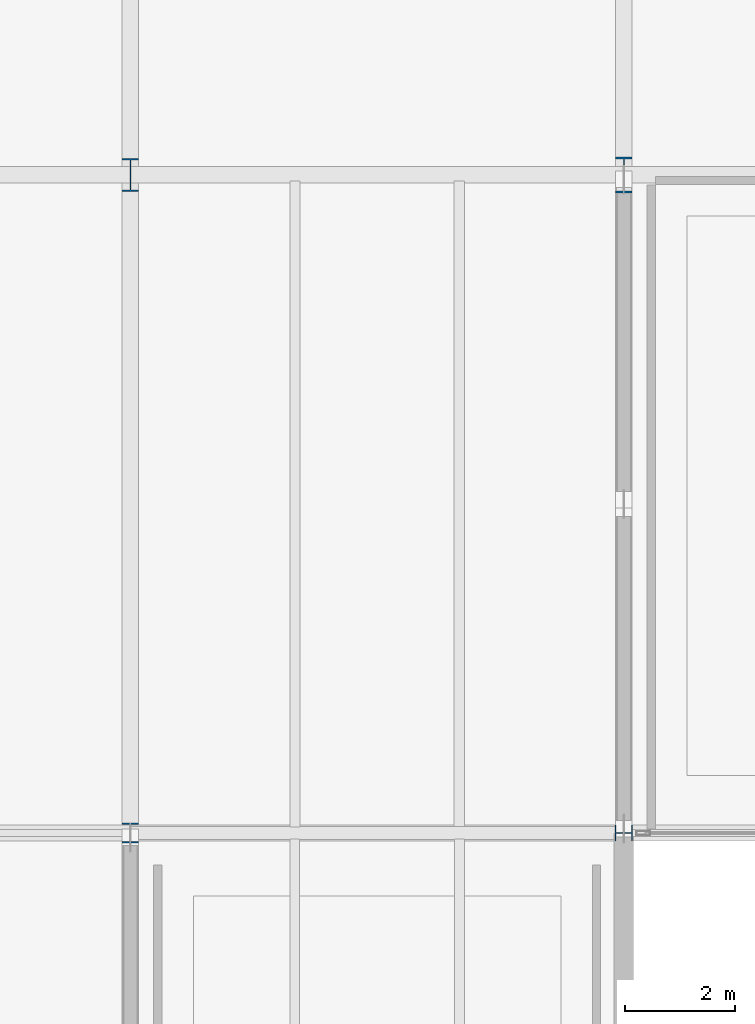
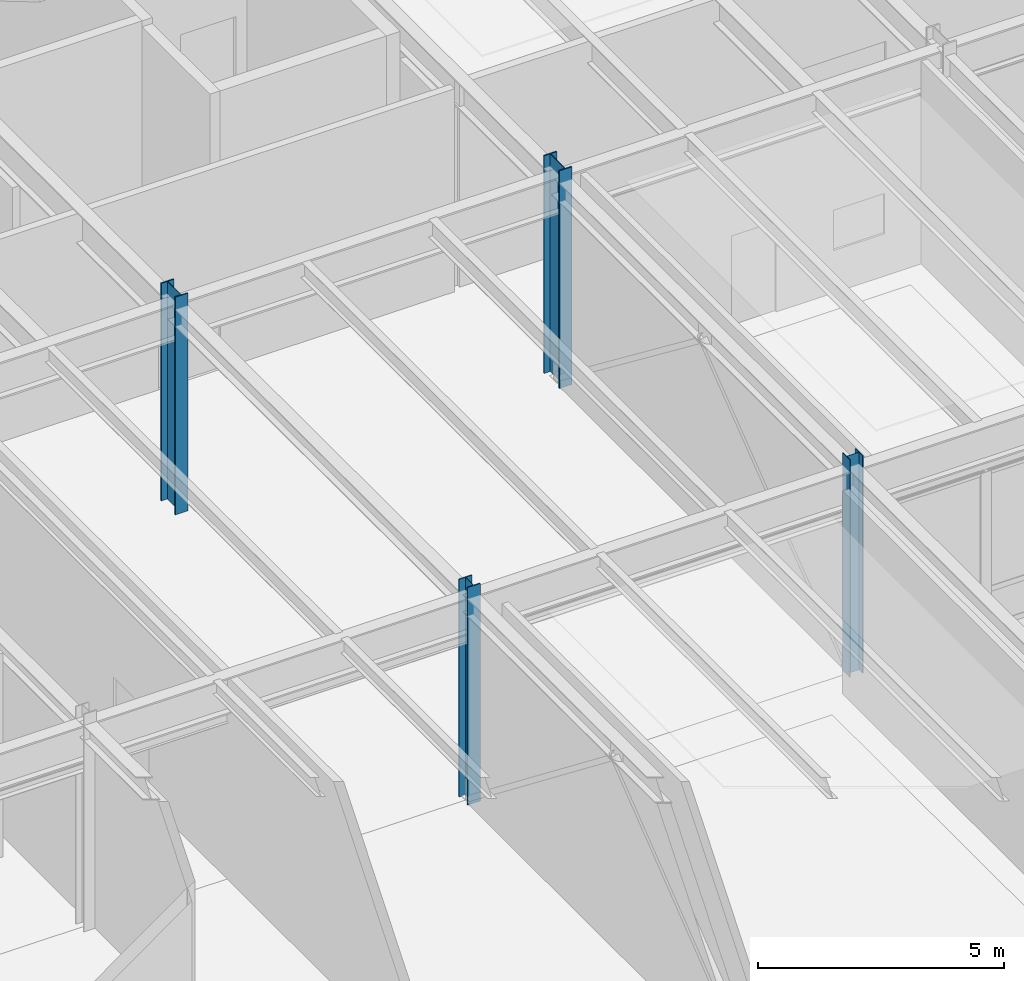
# One storey, part 13 of 143: 4 columns.
"""IFC4 building model written with IfcOpenShell, lengths in metres."""

from ifc_helpers import new_model, si_unit, direction, frame, origin, origin_2d, place, context, subcontext, project, spatial, i_section, extrude, material, material_profile, profile_set, type_object, element, save


model = new_model("IFC4")

# Units and contexts
model_context = context("Model", 3, precision=1e-05, world=origin(), true_north=direction((0.0, 1.0)))
body_context = subcontext(model_context, "Body", "Model", "MODEL_VIEW")
ifc_project = project(units=[si_unit("LENGTHUNIT", "METRE"), si_unit("AREAUNIT", "SQUARE_METRE"), si_unit("VOLUMEUNIT", "CUBIC_METRE"), si_unit("PLANEANGLEUNIT", "RADIAN"), si_unit("MASSUNIT", "GRAM", prefix="KILO")], contexts=[model_context])

# Site, building, storey
site_placement = place(None, origin())
site = spatial("IfcSite", under=ifc_project, at=site_placement, CompositionType="ELEMENT")
building_placement = place(site_placement, origin())
building = spatial("IfcBuilding", under=site, at=building_placement, Name="Montelvaro Courts of Justice", CompositionType="ELEMENT")
storey_placement = place(building_placement, origin())
storey = spatial("IfcBuildingStorey", under=building, at=storey_placement, Name="L00", CompositionType="ELEMENT", Elevation=0.0)

# Columns
ifc_material = material(Name="Steel S355", Category="steel")
ifc_material_profile_1 = material_profile(ifc_material, i_section(OverallWidth=0.300048828125, OverallDepth=0.320068359375, WebThickness=0.011474609375, FlangeThickness=0.0205078125, at=origin_2d()), Name="HEB 320")
ifc_profile_set_1 = profile_set([ifc_material_profile_1], Name="Steel S355")
column_type_1 = type_object("IfcColumnType", Name="Col_HEB320", PredefinedType="COLUMN", material=ifc_profile_set_1)
column_1_placement = place(storey_placement, frame((126.0, 66.0, 0.0), z_axis=(0.0, 0.0, 1.0), x_axis=(0.0, 1.0, 0.0)))
element("IfcColumn", 1, at=column_1_placement, inside=storey, type_object=column_type_1, Name="Column C-04 L00 15/F", PredefinedType="COLUMN", context=body_context, shape_type="SweptSolid", body=[
    extrude(i_section(OverallWidth=0.300048828125, OverallDepth=0.320068359375, WebThickness=0.011474609375, FlangeThickness=0.0205078125, at=origin_2d()), origin(), (0.0, 0.0, 1.0), 5.39990234375),
])
ifc_material_profile_2 = material_profile(ifc_material, i_section(OverallWidth=0.300048828125, OverallDepth=0.360107421875, WebThickness=0.012451171875, FlangeThickness=0.0224609375, at=origin_2d()), Name="HEB 360")
ifc_profile_set_2 = profile_set([ifc_material_profile_2], Name="Steel S355")
column_type_2 = type_object("IfcColumnType", Name="Col_HEB360", PredefinedType="COLUMN", material=ifc_profile_set_2)
column_2_placement = place(storey_placement, frame((117.0, 66.0, 0.0), z_axis=(0.0, 0.0, 1.0), x_axis=(1.0, 0.0, 0.0)))
element("IfcColumn", 2, at=column_2_placement, inside=storey, type_object=column_type_2, Name="Column C-06 L00 14/F", PredefinedType="COLUMN", context=body_context, shape_type="SweptSolid", body=[
    extrude(i_section(OverallWidth=0.300048828125, OverallDepth=0.360107421875, WebThickness=0.012451171875, FlangeThickness=0.0224609375, at=origin_2d()), origin(), (0.0, 0.0, 1.0), 5.39990234375),
])
ifc_material_profile_3 = material_profile(ifc_material, i_section(OverallWidth=0.300048828125, OverallDepth=0.60009765625, WebThickness=0.015380859375, FlangeThickness=0.030029296875, at=origin_2d()), Name="HEB 600")
ifc_profile_set_3 = profile_set([ifc_material_profile_3], Name="Steel S355")
column_type_3 = type_object("IfcColumnType", Name="Col_HEB600", PredefinedType="COLUMN", material=ifc_profile_set_3)
column_3_placement = place(storey_placement, frame((117.0, 78.0, 0.0), z_axis=(0.0, 0.0, 1.0), x_axis=(1.0, 0.0, 0.0)))
element("IfcColumn", 3, at=column_3_placement, inside=storey, type_object=column_type_3, Name="Column C-11 L00 14/G", PredefinedType="COLUMN", context=body_context, shape_type="SweptSolid", body=[
    extrude(i_section(OverallWidth=0.300048828125, OverallDepth=0.60009765625, WebThickness=0.015380859375, FlangeThickness=0.030029296875, at=origin_2d()), origin(), (0.0, 0.0, 1.0), 5.39990234375),
])
ifc_material_profile_4 = material_profile(ifc_material, i_section(OverallWidth=0.300048828125, OverallDepth=0.64990234375, WebThickness=0.01611328125, FlangeThickness=0.031005859375, at=origin_2d()), Name="HEB 650")
ifc_profile_set_4 = profile_set([ifc_material_profile_4], Name="Steel S355")
column_type_4 = type_object("IfcColumnType", Name="Col_HEB650", PredefinedType="COLUMN", material=ifc_profile_set_4)
column_4_placement = place(storey_placement, frame((126.0, 78.0, 0.0), z_axis=(0.0, 0.0, 1.0), x_axis=(1.0, 0.0, 0.0)))
element("IfcColumn", 4, at=column_4_placement, inside=storey, type_object=column_type_4, Name="Column C-12 L00 15/G", PredefinedType="COLUMN", context=body_context, shape_type="SweptSolid", body=[
    extrude(i_section(OverallWidth=0.300048828125, OverallDepth=0.64990234375, WebThickness=0.01611328125, FlangeThickness=0.031005859375, at=origin_2d()), origin(), (0.0, 0.0, 1.0), 5.39990234375),
])

save(model, "model.ifc")
